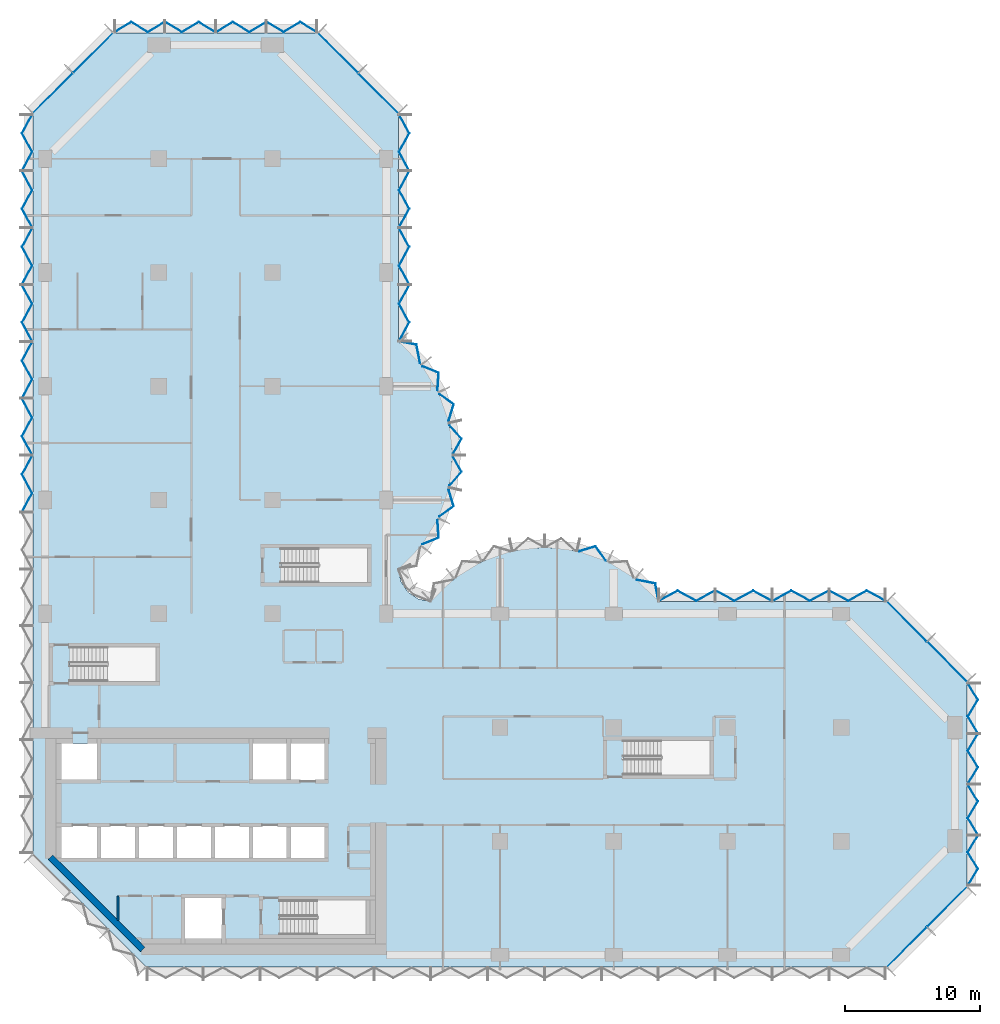
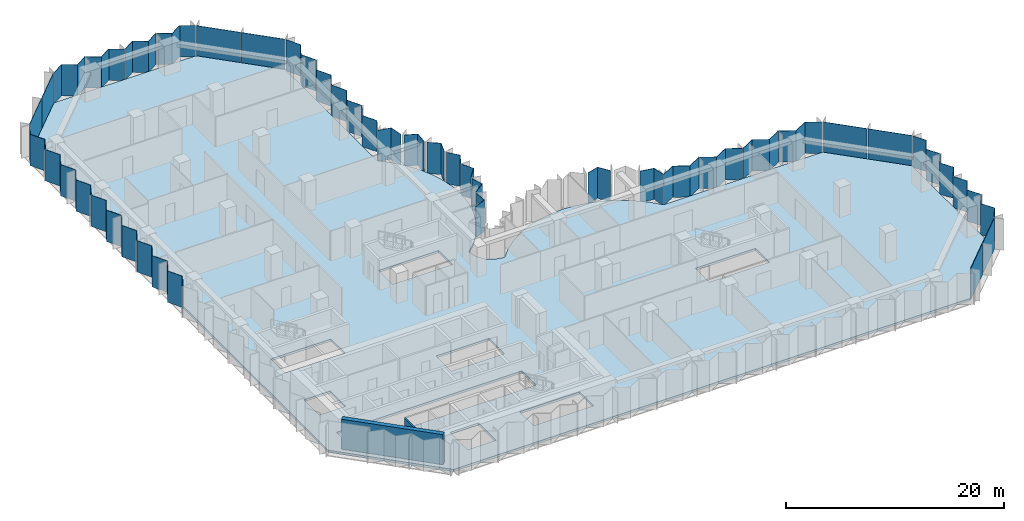
# One storey, part 6 of 13: 40 plates, 2 walls, 1 slab, 11 elements without a shape of their own.
"""IFC4 building model written with IfcOpenShell, lengths in metres."""

from ifc_helpers import new_model, si_unit, direction, frame, frame_2d, origin, place, context, subcontext, project, spatial, polyline, rectangle, outline, extrude, material, layer, layer_set, type_object, element, aggregate, save


model = new_model("IFC4")

# Units and contexts
model_context = context("Model", 3, precision=1e-05, world=origin(), true_north=direction((0.0, 1.0)))
body_context = subcontext(model_context, "Body", "Model", "MODEL_VIEW")
ifc_project = project(units=[si_unit("LENGTHUNIT", "METRE"), si_unit("AREAUNIT", "SQUARE_METRE"), si_unit("VOLUMEUNIT", "CUBIC_METRE"), si_unit("PLANEANGLEUNIT", "RADIAN"), si_unit("MASSUNIT", "GRAM", prefix="KILO")], contexts=[model_context])

# Site, building, storey
site_placement = place(None, origin())
site = spatial("IfcSite", under=ifc_project, at=site_placement, CompositionType="ELEMENT")
building_placement = place(site_placement, origin())
building = spatial("IfcBuilding", under=site, at=building_placement, Name="Brevane Broadcast Tower", CompositionType="ELEMENT")
storey_placement = place(building_placement, frame((0.0, 0.0, 120.5)))
storey = spatial("IfcBuildingStorey", under=building, at=storey_placement, Name="L29", CompositionType="ELEMENT", Elevation=120.5)

# Curtain wall, plates
ifc_material_1 = material(Name="Aluminium 6063-T6 bronze anodised", Category="aluminium")
curtain_wall_type = type_object("IfcCurtainWallType", Name="CW-1 curtain wall", PredefinedType="NOTDEFINED", material=ifc_material_1)
curtain_wall_1_placement = place(storey_placement, origin())
curtain_wall_1 = element("IfcCurtainWall", 1, at=curtain_wall_1_placement, inside=storey, type_object=curtain_wall_type, Name="CW-1 typical tilted unit L29 south-east chamfer", PredefinedType="NOTDEFINED")
ifc_material_2 = material(Name="Laminated glass bronze-tinted", Category="glass")
ifc_layer_1 = layer(ifc_material_2, 0.0400390625)
ifc_layer_set_1 = layer_set([ifc_layer_1], Name="CW tall glass panel 40")
plate_type = type_object("IfcPlateType", Name="CW tall glass panel 40", PredefinedType="CURTAIN_PANEL", material=ifc_layer_set_1)
plate_1_placement = place(storey_placement, frame((0.0, 0.0, -0.14990234375)))
plate_1 = element("IfcPlate", 2, at=plate_1_placement, type_object=plate_type, Name="CW-1 glass panel", PredefinedType="CURTAIN_PANEL", context=body_context, shape_type="SweptSolid", body=[
    extrude(outline(polyline([(62.14599609375, -0.896484375), (65.096435546875, 2.053955078125), (65.124755859375, 2.02587890625), (62.17431640625, -0.9248046875), (62.14599609375, -0.896484375)])), origin(), (0.0, 0.0, 1.0), 3.5),
])
plate_2_placement = place(storey_placement, frame((0.0, 0.0, -0.14990234375)))
plate_2 = element("IfcPlate", 3, at=plate_2_placement, type_object=plate_type, Name="CW-1 glass panel", PredefinedType="CURTAIN_PANEL", context=body_context, shape_type="SweptSolid", body=[
    extrude(outline(polyline([(65.14599609375, 2.103515625), (68.096435546875, 5.053955078125), (68.124755859375, 5.02587890625), (65.17431640625, 2.0751953125), (65.14599609375, 2.103515625)])), origin(), (0.0, 0.0, 1.0), 3.5),
])
aggregate(curtain_wall_1, [plate_1, plate_2])

curtain_wall_2_placement = place(storey_placement, origin())
curtain_wall_2 = element("IfcCurtainWall", 4, at=curtain_wall_2_placement, inside=storey, type_object=curtain_wall_type, Name="CW-1 typical tilted unit L29 east end", PredefinedType="NOTDEFINED")
plate_3_placement = place(storey_placement, frame((0.0, 0.0, -0.14990234375)))
plate_3 = element("IfcPlate", 5, at=plate_3_placement, type_object=plate_type, Name="CW-1 glass panel", PredefinedType="CURTAIN_PANEL", context=body_context, shape_type="SweptSolid", body=[
    extrude(outline(polyline([(68.126708984375, 5.135009765625), (68.17333984375, 5.135009765625), (68.917724609375, 6.36181640625), (68.17333984375, 7.58837890625), (68.917724609375, 8.81494140625), (68.87109375, 8.81494140625), (68.126708984375, 7.58837890625), (68.87109375, 6.36181640625), (68.126708984375, 5.135009765625)])), origin(), (0.0, 0.0, 1.0), 3.5),
])
plate_4_placement = place(storey_placement, frame((0.0, 0.0, -0.14990234375)))
plate_4 = element("IfcPlate", 6, at=plate_4_placement, type_object=plate_type, Name="CW-1 glass panel", PredefinedType="CURTAIN_PANEL", context=body_context, shape_type="SweptSolid", body=[
    extrude(outline(polyline([(68.87109375, 8.885009765625), (68.917724609375, 8.885009765625), (68.17333984375, 10.11181640625), (68.917724609375, 11.33837890625), (68.17333984375, 12.56494140625), (68.126708984375, 12.56494140625), (68.87109375, 11.33837890625), (68.126708984375, 10.11181640625), (68.87109375, 8.885009765625)])), origin(), (0.0, 0.0, 1.0), 3.5),
])
plate_5_placement = place(storey_placement, frame((0.0, 0.0, -0.14990234375)))
plate_5 = element("IfcPlate", 7, at=plate_5_placement, type_object=plate_type, Name="CW-1 glass panel", PredefinedType="CURTAIN_PANEL", context=body_context, shape_type="SweptSolid", body=[
    extrude(outline(polyline([(68.126708984375, 12.635009765625), (68.17333984375, 12.635009765625), (68.917724609375, 13.86181640625), (68.17333984375, 15.08837890625), (68.917724609375, 16.31494140625), (68.87109375, 16.31494140625), (68.126708984375, 15.08837890625), (68.87109375, 13.86181640625), (68.126708984375, 12.635009765625)])), origin(), (0.0, 0.0, 1.0), 3.5),
])
plate_6_placement = place(storey_placement, frame((0.0, 0.0, -0.14990234375)))
plate_6 = element("IfcPlate", 8, at=plate_6_placement, type_object=plate_type, Name="CW-1 glass panel", PredefinedType="CURTAIN_PANEL", context=body_context, shape_type="SweptSolid", body=[
    extrude(outline(polyline([(68.87109375, 16.385009765625), (68.917724609375, 16.385009765625), (68.17333984375, 17.61181640625), (68.917724609375, 18.83837890625), (68.17333984375, 20.06494140625), (68.126708984375, 20.06494140625), (68.87109375, 18.83837890625), (68.126708984375, 17.61181640625), (68.87109375, 16.385009765625)])), origin(), (0.0, 0.0, 1.0), 3.5),
])
aggregate(curtain_wall_2, [plate_3, plate_4, plate_5, plate_6])

curtain_wall_3_placement = place(storey_placement, origin())
curtain_wall_3 = element("IfcCurtainWall", 9, at=curtain_wall_3_placement, inside=storey, type_object=curtain_wall_type, Name="CW-1 typical tilted unit L29 north-east chamfer", PredefinedType="NOTDEFINED")
plate_7_placement = place(storey_placement, frame((0.0, 0.0, -0.14990234375)))
plate_7 = element("IfcPlate", 10, at=plate_7_placement, type_object=plate_type, Name="CW-1 glass panel", PredefinedType="CURTAIN_PANEL", context=body_context, shape_type="SweptSolid", body=[
    extrude(outline(polyline([(68.096435546875, 20.14599609375), (65.14599609375, 23.096435546875), (65.17431640625, 23.124755859375), (68.124755859375, 20.17431640625), (68.096435546875, 20.14599609375)])), origin(), (0.0, 0.0, 1.0), 3.5),
])
plate_8_placement = place(storey_placement, frame((0.0, 0.0, -0.14990234375)))
plate_8 = element("IfcPlate", 11, at=plate_8_placement, type_object=plate_type, Name="CW-1 glass panel", PredefinedType="CURTAIN_PANEL", context=body_context, shape_type="SweptSolid", body=[
    extrude(outline(polyline([(65.096435546875, 23.14599609375), (62.14599609375, 26.096435546875), (62.17431640625, 26.124755859375), (65.124755859375, 23.17431640625), (65.096435546875, 23.14599609375)])), origin(), (0.0, 0.0, 1.0), 3.5),
])
aggregate(curtain_wall_3, [plate_7, plate_8])

curtain_wall_4_placement = place(storey_placement, origin())
curtain_wall_4 = element("IfcCurtainWall", 12, at=curtain_wall_4_placement, inside=storey, type_object=curtain_wall_type, Name="CW-1 typical tilted unit L29 east arm north face", PredefinedType="NOTDEFINED")
plate_9_placement = place(storey_placement, frame((0.0, 0.0, -0.14990234375)))
plate_9 = element("IfcPlate", 13, at=plate_9_placement, type_object=plate_type, Name="CW-1 glass panel", PredefinedType="CURTAIN_PANEL", context=body_context, shape_type="SweptSolid", body=[
    extrude(outline(polyline([(62.06494140625, 26.127197265625), (62.06494140625, 26.172607421875), (60.688232421875, 26.9169921875), (59.311767578125, 26.172607421875), (57.93505859375, 26.9169921875), (57.93505859375, 26.87158203125), (59.311767578125, 26.127197265625), (60.688232421875, 26.87158203125), (62.06494140625, 26.127197265625)])), origin(), (0.0, 0.0, 1.0), 3.5),
])
plate_10_placement = place(storey_placement, frame((0.0, 0.0, -0.14990234375)))
plate_10 = element("IfcPlate", 14, at=plate_10_placement, type_object=plate_type, Name="CW-1 glass panel", PredefinedType="CURTAIN_PANEL", context=body_context, shape_type="SweptSolid", body=[
    extrude(outline(polyline([(57.864990234375, 26.87158203125), (57.864990234375, 26.9169921875), (56.48828125, 26.172607421875), (55.11181640625, 26.9169921875), (53.735107421875, 26.172607421875), (53.735107421875, 26.127197265625), (55.11181640625, 26.87158203125), (56.48828125, 26.127197265625), (57.864990234375, 26.87158203125)])), origin(), (0.0, 0.0, 1.0), 3.5),
])
plate_11_placement = place(storey_placement, frame((0.0, 0.0, -0.14990234375)))
plate_11 = element("IfcPlate", 15, at=plate_11_placement, type_object=plate_type, Name="CW-1 glass panel", PredefinedType="CURTAIN_PANEL", context=body_context, shape_type="SweptSolid", body=[
    extrude(outline(polyline([(53.6650390625, 26.127197265625), (53.6650390625, 26.172607421875), (52.288330078125, 26.9169921875), (50.91162109375, 26.172607421875), (49.534912109375, 26.9169921875), (49.534912109375, 26.87158203125), (50.91162109375, 26.127197265625), (52.288330078125, 26.87158203125), (53.6650390625, 26.127197265625)])), origin(), (0.0, 0.0, 1.0), 3.5),
])
plate_12_placement = place(storey_placement, frame((0.0, 0.0, -0.14990234375)))
plate_12 = element("IfcPlate", 16, at=plate_12_placement, type_object=plate_type, Name="CW-1 glass panel", PredefinedType="CURTAIN_PANEL", context=body_context, shape_type="SweptSolid", body=[
    extrude(outline(polyline([(49.465087890625, 26.87158203125), (49.465087890625, 26.9169921875), (48.08837890625, 26.172607421875), (46.711669921875, 26.9169921875), (45.3349609375, 26.172607421875), (45.3349609375, 26.127197265625), (46.711669921875, 26.87158203125), (48.08837890625, 26.127197265625), (49.465087890625, 26.87158203125)])), origin(), (0.0, 0.0, 1.0), 3.5),
])
aggregate(curtain_wall_4, [plate_9, plate_10, plate_11, plate_12])

curtain_wall_5_placement = place(storey_placement, origin())
curtain_wall_5 = element("IfcCurtainWall", 17, at=curtain_wall_5_placement, inside=storey, type_object=curtain_wall_type, Name="CW-1 typical tilted unit L29 east bow", PredefinedType="NOTDEFINED")
plate_13_placement = place(storey_placement, frame((0.0, 0.0, -0.14990234375)))
plate_13 = element("IfcPlate", 18, at=plate_13_placement, type_object=plate_type, Name="CW-1 glass panel", PredefinedType="CURTAIN_PANEL", context=body_context, shape_type="SweptSolid", body=[
    extrude(outline(polyline([(45.2939453125, 26.14404296875), (45.327880859375, 26.17919921875), (45.086181640625, 27.447265625), (43.738525390625, 27.71142578125), (43.7109375, 27.67626953125), (45.052001953125, 27.4130859375), (45.2939453125, 26.14404296875)])), origin(), (0.0, 0.0, 1.0), 3.5),
])
plate_14_placement = place(storey_placement, frame((0.0, 0.0, -0.14990234375)))
plate_14 = element("IfcPlate", 19, at=plate_14_placement, type_object=plate_type, Name="CW-1 glass panel", PredefinedType="CURTAIN_PANEL", context=body_context, shape_type="SweptSolid", body=[
    extrude(outline(polyline([(41.3994140625, 29.104248046875), (41.4189453125, 29.1455078125), (40.667724609375, 30.20166015625), (39.45068359375, 29.83349609375), (39.440185546875, 29.78857421875), (40.65185546875, 30.155029296875), (41.3994140625, 29.104248046875)])), origin(), (0.0, 0.0, 1.0), 3.5),
])
aggregate(curtain_wall_5, [plate_13, plate_14])

curtain_wall_6_placement = place(storey_placement, origin())
curtain_wall_6 = element("IfcCurtainWall", 20, at=curtain_wall_6_placement, inside=storey, type_object=curtain_wall_type, Name="CW-1 typical tilted unit L29 north bow", PredefinedType="NOTDEFINED")
plate_15_placement = place(storey_placement, frame((0.0, 0.0, -0.14990234375)))
plate_15 = element("IfcPlate", 21, at=plate_15_placement, type_object=plate_type, Name="CW-1 glass panel", PredefinedType="CURTAIN_PANEL", context=body_context, shape_type="SweptSolid", body=[
    extrude(outline(polyline([(27.8759765625, 30.343017578125), (27.912109375, 30.314697265625), (29.089111328125, 30.7958984375), (29.006591796875, 32.08935546875), (28.96533203125, 32.10888671875), (29.04736328125, 30.822265625), (27.8759765625, 30.343017578125)])), origin(), (0.0, 0.0, 1.0), 3.5),
])
plate_16_placement = place(storey_placement, frame((0.0, 0.0, -0.14990234375)))
plate_16 = element("IfcPlate", 22, at=plate_16_placement, type_object=plate_type, Name="CW-1 glass panel", PredefinedType="CURTAIN_PANEL", context=body_context, shape_type="SweptSolid", body=[
    extrude(outline(polyline([(29.104248046875, 32.400634765625), (29.1455078125, 32.381103515625), (30.20166015625, 33.132080078125), (29.83349609375, 34.349365234375), (29.78857421875, 34.359619140625), (30.155029296875, 33.148193359375), (29.104248046875, 32.400634765625)])), origin(), (0.0, 0.0, 1.0), 3.5),
])
plate_17_placement = place(storey_placement, frame((0.0, 0.0, -0.14990234375)))
plate_17 = element("IfcPlate", 23, at=plate_17_placement, type_object=plate_type, Name="CW-1 glass panel", PredefinedType="CURTAIN_PANEL", context=body_context, shape_type="SweptSolid", body=[
    extrude(outline(polyline([(29.859619140625, 34.6748046875), (29.903564453125, 34.664794921875), (30.779296875, 35.68310546875), (30.15869140625, 36.7919921875), (30.11279296875, 36.7919921875), (30.730712890625, 35.68798828125), (29.859619140625, 34.6748046875)])), origin(), (0.0, 0.0, 1.0), 3.5),
])
plate_18_placement = place(storey_placement, frame((0.0, 0.0, -0.14990234375)))
plate_18 = element("IfcPlate", 24, at=plate_18_placement, type_object=plate_type, Name="CW-1 glass panel", PredefinedType="CURTAIN_PANEL", context=body_context, shape_type="SweptSolid", body=[
    extrude(outline(polyline([(30.11279296875, 37.008056640625), (30.15869140625, 37.008056640625), (30.779296875, 38.116943359375), (29.903564453125, 39.13525390625), (29.859619140625, 39.125), (30.730712890625, 38.112060546875), (30.11279296875, 37.008056640625)])), origin(), (0.0, 0.0, 1.0), 3.5),
])
plate_19_placement = place(storey_placement, frame((0.0, 0.0, -0.14990234375)))
plate_19 = element("IfcPlate", 25, at=plate_19_placement, type_object=plate_type, Name="CW-1 glass panel", PredefinedType="CURTAIN_PANEL", context=body_context, shape_type="SweptSolid", body=[
    extrude(outline(polyline([(29.78857421875, 39.440185546875), (29.83349609375, 39.45068359375), (30.20166015625, 40.667724609375), (29.1455078125, 41.4189453125), (29.104248046875, 41.3994140625), (30.155029296875, 40.65185546875), (29.78857421875, 39.440185546875)])), origin(), (0.0, 0.0, 1.0), 3.5),
])
plate_20_placement = place(storey_placement, frame((0.0, 0.0, -0.14990234375)))
plate_20 = element("IfcPlate", 26, at=plate_20_placement, type_object=plate_type, Name="CW-1 glass panel", PredefinedType="CURTAIN_PANEL", context=body_context, shape_type="SweptSolid", body=[
    extrude(outline(polyline([(28.96533203125, 41.69091796875), (29.006591796875, 41.710693359375), (29.089111328125, 43.00390625), (27.912109375, 43.4853515625), (27.8759765625, 43.45703125), (29.04736328125, 42.977783203125), (28.96533203125, 41.69091796875)])), origin(), (0.0, 0.0, 1.0), 3.5),
])
plate_21_placement = place(storey_placement, frame((0.0, 0.0, -0.14990234375)))
plate_21 = element("IfcPlate", 27, at=plate_21_placement, type_object=plate_type, Name="CW-1 glass panel", PredefinedType="CURTAIN_PANEL", context=body_context, shape_type="SweptSolid", body=[
    extrude(outline(polyline([(27.67626953125, 43.7109375), (27.71142578125, 43.738525390625), (27.447265625, 45.086181640625), (26.17919921875, 45.327880859375), (26.14404296875, 45.2939453125), (27.4130859375, 45.052001953125), (27.67626953125, 43.7109375)])), origin(), (0.0, 0.0, 1.0), 3.5),
])
aggregate(curtain_wall_6, [plate_15, plate_16, plate_17, plate_18, plate_19, plate_20, plate_21])

curtain_wall_7_placement = place(storey_placement, origin())
curtain_wall_7 = element("IfcCurtainWall", 28, at=curtain_wall_7_placement, inside=storey, type_object=curtain_wall_type, Name="CW-1 typical tilted unit L29 north arm east face", PredefinedType="NOTDEFINED")
plate_22_placement = place(storey_placement, frame((0.0, 0.0, -0.14990234375)))
plate_22 = element("IfcPlate", 29, at=plate_22_placement, type_object=plate_type, Name="CW-1 glass panel", PredefinedType="CURTAIN_PANEL", context=body_context, shape_type="SweptSolid", body=[
    extrude(outline(polyline([(26.127197265625, 45.3349609375), (26.172607421875, 45.3349609375), (26.9169921875, 46.711669921875), (26.172607421875, 48.08837890625), (26.9169921875, 49.465087890625), (26.87158203125, 49.465087890625), (26.127197265625, 48.08837890625), (26.87158203125, 46.711669921875), (26.127197265625, 45.3349609375)])), origin(), (0.0, 0.0, 1.0), 3.5),
])
plate_23_placement = place(storey_placement, frame((0.0, 0.0, -0.14990234375)))
plate_23 = element("IfcPlate", 30, at=plate_23_placement, type_object=plate_type, Name="CW-1 glass panel", PredefinedType="CURTAIN_PANEL", context=body_context, shape_type="SweptSolid", body=[
    extrude(outline(polyline([(26.87158203125, 49.534912109375), (26.9169921875, 49.534912109375), (26.172607421875, 50.91162109375), (26.9169921875, 52.288330078125), (26.172607421875, 53.6650390625), (26.127197265625, 53.6650390625), (26.87158203125, 52.288330078125), (26.127197265625, 50.91162109375), (26.87158203125, 49.534912109375)])), origin(), (0.0, 0.0, 1.0), 3.5),
])
plate_24_placement = place(storey_placement, frame((0.0, 0.0, -0.14990234375)))
plate_24 = element("IfcPlate", 31, at=plate_24_placement, type_object=plate_type, Name="CW-1 glass panel", PredefinedType="CURTAIN_PANEL", context=body_context, shape_type="SweptSolid", body=[
    extrude(outline(polyline([(26.127197265625, 53.735107421875), (26.172607421875, 53.735107421875), (26.9169921875, 55.11181640625), (26.172607421875, 56.48828125), (26.9169921875, 57.864990234375), (26.87158203125, 57.864990234375), (26.127197265625, 56.48828125), (26.87158203125, 55.11181640625), (26.127197265625, 53.735107421875)])), origin(), (0.0, 0.0, 1.0), 3.5),
])
plate_25_placement = place(storey_placement, frame((0.0, 0.0, -0.14990234375)))
plate_25 = element("IfcPlate", 32, at=plate_25_placement, type_object=plate_type, Name="CW-1 glass panel", PredefinedType="CURTAIN_PANEL", context=body_context, shape_type="SweptSolid", body=[
    extrude(outline(polyline([(26.87158203125, 57.93505859375), (26.9169921875, 57.93505859375), (26.172607421875, 59.311767578125), (26.9169921875, 60.688232421875), (26.172607421875, 62.06494140625), (26.127197265625, 62.06494140625), (26.87158203125, 60.688232421875), (26.127197265625, 59.311767578125), (26.87158203125, 57.93505859375)])), origin(), (0.0, 0.0, 1.0), 3.5),
])
aggregate(curtain_wall_7, [plate_22, plate_23, plate_24, plate_25])

curtain_wall_8_placement = place(storey_placement, origin())
curtain_wall_8 = element("IfcCurtainWall", 33, at=curtain_wall_8_placement, inside=storey, type_object=curtain_wall_type, Name="CW-1 typical tilted unit L29 north arm north-east chamfer", PredefinedType="NOTDEFINED")
plate_26_placement = place(storey_placement, frame((0.0, 0.0, -0.14990234375)))
plate_26 = element("IfcPlate", 34, at=plate_26_placement, type_object=plate_type, Name="CW-1 glass panel", PredefinedType="CURTAIN_PANEL", context=body_context, shape_type="SweptSolid", body=[
    extrude(outline(polyline([(26.096435546875, 62.14599609375), (23.14599609375, 65.096435546875), (23.17431640625, 65.124755859375), (26.124755859375, 62.17431640625), (26.096435546875, 62.14599609375)])), origin(), (0.0, 0.0, 1.0), 3.5),
])
plate_27_placement = place(storey_placement, frame((0.0, 0.0, -0.14990234375)))
plate_27 = element("IfcPlate", 35, at=plate_27_placement, type_object=plate_type, Name="CW-1 glass panel", PredefinedType="CURTAIN_PANEL", context=body_context, shape_type="SweptSolid", body=[
    extrude(outline(polyline([(23.096435546875, 65.14599609375), (20.14599609375, 68.096435546875), (20.17431640625, 68.124755859375), (23.124755859375, 65.17431640625), (23.096435546875, 65.14599609375)])), origin(), (0.0, 0.0, 1.0), 3.5),
])
aggregate(curtain_wall_8, [plate_26, plate_27])

curtain_wall_9_placement = place(storey_placement, origin())
curtain_wall_9 = element("IfcCurtainWall", 36, at=curtain_wall_9_placement, inside=storey, type_object=curtain_wall_type, Name="CW-1 typical tilted unit L29 north end", PredefinedType="NOTDEFINED")
plate_28_placement = place(storey_placement, frame((0.0, 0.0, -0.14990234375)))
plate_28 = element("IfcPlate", 37, at=plate_28_placement, type_object=plate_type, Name="CW-1 glass panel", PredefinedType="CURTAIN_PANEL", context=body_context, shape_type="SweptSolid", body=[
    extrude(outline(polyline([(20.06494140625, 68.126708984375), (20.06494140625, 68.17333984375), (18.83837890625, 68.917724609375), (17.61181640625, 68.17333984375), (16.385009765625, 68.917724609375), (16.385009765625, 68.87109375), (17.61181640625, 68.126708984375), (18.83837890625, 68.87109375), (20.06494140625, 68.126708984375)])), origin(), (0.0, 0.0, 1.0), 3.5),
])
plate_29_placement = place(storey_placement, frame((0.0, 0.0, -0.14990234375)))
plate_29 = element("IfcPlate", 38, at=plate_29_placement, type_object=plate_type, Name="CW-1 glass panel", PredefinedType="CURTAIN_PANEL", context=body_context, shape_type="SweptSolid", body=[
    extrude(outline(polyline([(16.31494140625, 68.87109375), (16.31494140625, 68.917724609375), (15.08837890625, 68.17333984375), (13.86181640625, 68.917724609375), (12.635009765625, 68.17333984375), (12.635009765625, 68.126708984375), (13.86181640625, 68.87109375), (15.08837890625, 68.126708984375), (16.31494140625, 68.87109375)])), origin(), (0.0, 0.0, 1.0), 3.5),
])
plate_30_placement = place(storey_placement, frame((0.0, 0.0, -0.14990234375)))
plate_30 = element("IfcPlate", 39, at=plate_30_placement, type_object=plate_type, Name="CW-1 glass panel", PredefinedType="CURTAIN_PANEL", context=body_context, shape_type="SweptSolid", body=[
    extrude(outline(polyline([(12.56494140625, 68.126708984375), (12.56494140625, 68.17333984375), (11.33837890625, 68.917724609375), (10.11181640625, 68.17333984375), (8.885009765625, 68.917724609375), (8.885009765625, 68.87109375), (10.11181640625, 68.126708984375), (11.33837890625, 68.87109375), (12.56494140625, 68.126708984375)])), origin(), (0.0, 0.0, 1.0), 3.5),
])
plate_31_placement = place(storey_placement, frame((0.0, 0.0, -0.14990234375)))
plate_31 = element("IfcPlate", 40, at=plate_31_placement, type_object=plate_type, Name="CW-1 glass panel", PredefinedType="CURTAIN_PANEL", context=body_context, shape_type="SweptSolid", body=[
    extrude(outline(polyline([(8.81494140625, 68.87109375), (8.81494140625, 68.917724609375), (7.58837890625, 68.17333984375), (6.36181640625, 68.917724609375), (5.135009765625, 68.17333984375), (5.135009765625, 68.126708984375), (6.36181640625, 68.87109375), (7.58837890625, 68.126708984375), (8.81494140625, 68.87109375)])), origin(), (0.0, 0.0, 1.0), 3.5),
])
aggregate(curtain_wall_9, [plate_28, plate_29, plate_30, plate_31])

curtain_wall_10_placement = place(storey_placement, origin())
curtain_wall_10 = element("IfcCurtainWall", 41, at=curtain_wall_10_placement, inside=storey, type_object=curtain_wall_type, Name="CW-1 typical tilted unit L29 north-west chamfer", PredefinedType="NOTDEFINED")
plate_32_placement = place(storey_placement, frame((0.0, 0.0, -0.14990234375)))
plate_32 = element("IfcPlate", 42, at=plate_32_placement, type_object=plate_type, Name="CW-1 glass panel", PredefinedType="CURTAIN_PANEL", context=body_context, shape_type="SweptSolid", body=[
    extrude(outline(polyline([(5.053955078125, 68.096435546875), (2.103515625, 65.14599609375), (2.0751953125, 65.17431640625), (5.02587890625, 68.124755859375), (5.053955078125, 68.096435546875)])), origin(), (0.0, 0.0, 1.0), 3.5),
])
plate_33_placement = place(storey_placement, frame((0.0, 0.0, -0.14990234375)))
plate_33 = element("IfcPlate", 43, at=plate_33_placement, type_object=plate_type, Name="CW-1 glass panel", PredefinedType="CURTAIN_PANEL", context=body_context, shape_type="SweptSolid", body=[
    extrude(outline(polyline([(2.053955078125, 65.096435546875), (-0.896484375, 62.14599609375), (-0.9248046875, 62.17431640625), (2.02587890625, 65.124755859375), (2.053955078125, 65.096435546875)])), origin(), (0.0, 0.0, 1.0), 3.5),
])
aggregate(curtain_wall_10, [plate_32, plate_33])

curtain_wall_11_placement = place(storey_placement, origin())
curtain_wall_11 = element("IfcCurtainWall", 44, at=curtain_wall_11_placement, inside=storey, type_object=curtain_wall_type, Name="CW-1 typical tilted unit L29 west face", PredefinedType="NOTDEFINED")
plate_34_placement = place(storey_placement, frame((0.0, 0.0, -0.14990234375)))
plate_34 = element("IfcPlate", 45, at=plate_34_placement, type_object=plate_type, Name="CW-1 glass panel", PredefinedType="CURTAIN_PANEL", context=body_context, shape_type="SweptSolid", body=[
    extrude(outline(polyline([(-0.92724609375, 62.06494140625), (-0.97265625, 62.06494140625), (-1.717041015625, 60.688232421875), (-0.97265625, 59.311767578125), (-1.717041015625, 57.93505859375), (-1.671630859375, 57.93505859375), (-0.92724609375, 59.311767578125), (-1.671630859375, 60.688232421875), (-0.92724609375, 62.06494140625)])), origin(), (0.0, 0.0, 1.0), 3.5),
])
plate_35_placement = place(storey_placement, frame((0.0, 0.0, -0.14990234375)))
plate_35 = element("IfcPlate", 46, at=plate_35_placement, type_object=plate_type, Name="CW-1 glass panel", PredefinedType="CURTAIN_PANEL", context=body_context, shape_type="SweptSolid", body=[
    extrude(outline(polyline([(-1.671630859375, 57.864990234375), (-1.717041015625, 57.864990234375), (-0.97265625, 56.48828125), (-1.717041015625, 55.11181640625), (-0.97265625, 53.735107421875), (-0.92724609375, 53.735107421875), (-1.671630859375, 55.11181640625), (-0.92724609375, 56.48828125), (-1.671630859375, 57.864990234375)])), origin(), (0.0, 0.0, 1.0), 3.5),
])
plate_36_placement = place(storey_placement, frame((0.0, 0.0, -0.14990234375)))
plate_36 = element("IfcPlate", 47, at=plate_36_placement, type_object=plate_type, Name="CW-1 glass panel", PredefinedType="CURTAIN_PANEL", context=body_context, shape_type="SweptSolid", body=[
    extrude(outline(polyline([(-0.92724609375, 53.6650390625), (-0.97265625, 53.6650390625), (-1.717041015625, 52.288330078125), (-0.97265625, 50.91162109375), (-1.717041015625, 49.534912109375), (-1.671630859375, 49.534912109375), (-0.92724609375, 50.91162109375), (-1.671630859375, 52.288330078125), (-0.92724609375, 53.6650390625)])), origin(), (0.0, 0.0, 1.0), 3.5),
])
plate_37_placement = place(storey_placement, frame((0.0, 0.0, -0.14990234375)))
plate_37 = element("IfcPlate", 48, at=plate_37_placement, type_object=plate_type, Name="CW-1 glass panel", PredefinedType="CURTAIN_PANEL", context=body_context, shape_type="SweptSolid", body=[
    extrude(outline(polyline([(-1.671630859375, 49.465087890625), (-1.717041015625, 49.465087890625), (-0.97265625, 48.08837890625), (-1.717041015625, 46.711669921875), (-0.97265625, 45.3349609375), (-0.92724609375, 45.3349609375), (-1.671630859375, 46.711669921875), (-0.92724609375, 48.08837890625), (-1.671630859375, 49.465087890625)])), origin(), (0.0, 0.0, 1.0), 3.5),
])
plate_38_placement = place(storey_placement, frame((0.0, 0.0, -0.14990234375)))
plate_38 = element("IfcPlate", 49, at=plate_38_placement, type_object=plate_type, Name="CW-1 glass panel", PredefinedType="CURTAIN_PANEL", context=body_context, shape_type="SweptSolid", body=[
    extrude(outline(polyline([(-0.92724609375, 45.264892578125), (-0.97265625, 45.264892578125), (-1.717041015625, 43.88818359375), (-0.97265625, 42.51171875), (-1.717041015625, 41.135009765625), (-1.671630859375, 41.135009765625), (-0.92724609375, 42.51171875), (-1.671630859375, 43.88818359375), (-0.92724609375, 45.264892578125)])), origin(), (0.0, 0.0, 1.0), 3.5),
])
plate_39_placement = place(storey_placement, frame((0.0, 0.0, -0.14990234375)))
plate_39 = element("IfcPlate", 50, at=plate_39_placement, type_object=plate_type, Name="CW-1 glass panel", PredefinedType="CURTAIN_PANEL", context=body_context, shape_type="SweptSolid", body=[
    extrude(outline(polyline([(-1.671630859375, 41.06494140625), (-1.717041015625, 41.06494140625), (-0.97265625, 39.688232421875), (-1.717041015625, 38.311767578125), (-0.97265625, 36.93505859375), (-0.92724609375, 36.93505859375), (-1.671630859375, 38.311767578125), (-0.92724609375, 39.688232421875), (-1.671630859375, 41.06494140625)])), origin(), (0.0, 0.0, 1.0), 3.5),
])
plate_40_placement = place(storey_placement, frame((0.0, 0.0, -0.14990234375)))
plate_40 = element("IfcPlate", 51, at=plate_40_placement, type_object=plate_type, Name="CW-1 glass panel", PredefinedType="CURTAIN_PANEL", context=body_context, shape_type="SweptSolid", body=[
    extrude(outline(polyline([(-0.92724609375, 36.864990234375), (-0.97265625, 36.864990234375), (-1.717041015625, 35.48828125), (-0.97265625, 34.11181640625), (-1.717041015625, 32.735107421875), (-1.671630859375, 32.735107421875), (-0.92724609375, 34.11181640625), (-1.671630859375, 35.48828125), (-0.92724609375, 36.864990234375)])), origin(), (0.0, 0.0, 1.0), 3.5),
])
aggregate(curtain_wall_11, [plate_34, plate_35, plate_36, plate_37, plate_38, plate_39, plate_40])

# Slab
ifc_material_3 = material(Name="Concrete C40/50", Category="concrete")
ifc_layer_2 = layer(ifc_material_3, 0.25)
ifc_layer_set_2 = layer_set([ifc_layer_2], Name="RC FLOOR SLAB 250 C40/50")
slab_type = type_object("IfcSlabType", Name="RC FLOOR SLAB 250 C40/50", PredefinedType="FLOOR", material=ifc_layer_set_2)
slab_placement = place(storey_placement, frame((0.0, 0.0, -0.25)))
element("IfcSlab", 52, at=slab_placement, inside=storey, type_object=slab_type, Name="SL250 L29", PredefinedType="FLOOR", context=body_context, shape_type="SweptSolid", body=[
    extrude(outline(polyline([(-0.89990234375, 7.5), (-0.89990234375, 62.10009765625), (5.10009765625, 68.10009765625), (20.10009765625, 68.10009765625), (26.10009765625, 62.10009765625), (26.10009765625, 45.300048828125), (27.10888671875, 44.36865234375), (27.99169921875, 43.317138671875), (28.734130859375, 42.162353515625), (29.324462890625, 40.922607421875), (29.7529296875, 39.618408203125), (30.012939453125, 38.270263671875), (30.10009765625, 36.89990234375), (30.012939453125, 35.52978515625), (29.7529296875, 34.181640625), (29.324462890625, 32.877197265625), (28.734130859375, 31.6376953125), (27.99169921875, 30.48291015625), (27.10888671875, 29.431396484375), (26.10009765625, 28.5), (26.28271484375, 27.58154296875), (26.802978515625, 26.802978515625), (27.58154296875, 26.28271484375), (28.5, 26.10009765625), (29.431396484375, 27.10888671875), (30.48291015625, 27.99169921875), (31.6376953125, 28.734130859375), (32.877197265625, 29.324462890625), (34.181640625, 29.7529296875), (35.52978515625, 30.012939453125), (36.89990234375, 30.10009765625), (38.270263671875, 30.012939453125), (39.618408203125, 29.7529296875), (40.922607421875, 29.324462890625), (42.162353515625, 28.734130859375), (43.317138671875, 27.99169921875), (44.36865234375, 27.10888671875), (45.300048828125, 26.10009765625), (62.10009765625, 26.10009765625), (68.10009765625, 20.10009765625), (68.10009765625, 5.10009765625), (62.10009765625, -0.89990234375), (7.5, -0.89990234375), (-0.89990234375, 7.5)]), holes=[polyline([(13.199951171875, 4.39990234375), (10.199951171875, 4.39990234375), (10.199951171875, 1.199951171875), (13.199951171875, 1.199951171875), (13.199951171875, 4.39990234375)]), polyline([(4.0, 9.60009765625), (1.199951171875, 9.60009765625), (1.199951171875, 7.0), (4.0, 7.0), (6.800048828125, 7.0), (9.60009765625, 7.0), (12.39990234375, 7.0), (15.199951171875, 7.0), (18.0, 7.0), (20.800048828125, 7.0), (20.800048828125, 9.60009765625), (18.0, 9.60009765625), (15.199951171875, 9.60009765625), (12.39990234375, 9.60009765625), (9.60009765625, 9.60009765625), (6.800048828125, 9.60009765625), (4.0, 9.60009765625)]), polyline([(4.0, 12.800048828125), (4.0, 15.60009765625), (1.199951171875, 15.60009765625), (1.199951171875, 12.800048828125), (4.0, 12.800048828125)]), polyline([(8.199951171875, 22.75), (1.860107421875, 22.75), (1.860107421875, 20.199951171875), (8.199951171875, 20.199951171875), (8.199951171875, 22.75)]), polyline([(23.699951171875, 4.050048828125), (17.360107421875, 4.050048828125), (17.360107421875, 1.5), (23.699951171875, 1.5), (23.699951171875, 4.050048828125)]), polyline([(18.0, 15.60009765625), (15.199951171875, 15.60009765625), (15.199951171875, 12.800048828125), (18.0, 12.800048828125), (20.800048828125, 12.800048828125), (20.800048828125, 15.60009765625), (18.0, 15.60009765625)]), polyline([(49.10009765625, 15.85009765625), (42.760009765625, 15.85009765625), (42.760009765625, 13.300048828125), (49.10009765625, 13.300048828125), (49.10009765625, 15.85009765625)]), polyline([(23.800048828125, 30.050048828125), (17.4599609375, 30.050048828125), (17.4599609375, 27.5), (23.800048828125, 27.5), (23.800048828125, 30.050048828125)])]), origin(), (0.0, 0.0, 1.0), 0.25),
])

# Walls
ifc_material_4 = material(Name="Gypsum board on steel studs", Category="steel")
ifc_layer_3 = layer(ifc_material_4, 0.14990234375)
ifc_layer_set_3 = layer_set([ifc_layer_3], Name="Core fire partition 150 mm")
wall_type_1 = type_object("IfcWallType", Name="Core fire partition 150 mm", PredefinedType="PARTITIONING", material=ifc_layer_set_3)
wall_1_placement = place(storey_placement, frame((5.39990234375, 2.553466796875, 0.0), z_axis=(0.0, 0.0, 1.0), x_axis=(0.0, 1.0, 0.0)))
element("IfcWall", 53, at=wall_1_placement, inside=storey, type_object=wall_type_1, Name="L29 partition wall P10", PredefinedType="PARTITIONING", context=body_context, shape_type="SweptSolid", body=[
    extrude(rectangle(XDim=1.796630859375, YDim=0.14990234375, at=frame_2d((0.8984375, 0.0))), origin(), (0.0, 0.0, 1.0), 3.35009765625),
])
ifc_material_5 = material(Name="Concrete C60/75", Category="concrete")
ifc_layer_4 = layer(ifc_material_5, 0.449951171875)
ifc_layer_set_4 = layer_set([ifc_layer_4], Name="Core wall 450 mm C60/75")
wall_type_2 = type_object("IfcWallType", Name="Core wall 450 mm C60/75", PredefinedType="SHEAR", material=ifc_layer_set_4)
wall_2_placement = place(storey_placement, frame((0.39990234375, 7.21826171875, 0.0), z_axis=(0.0, 0.0, 1.0), x_axis=(0.707106781187, -0.707106781187, 0.0)))
element("IfcWall", 54, at=wall_2_placement, inside=storey, type_object=wall_type_2, Name="L29 outer wall WC", PredefinedType="SHEAR", context=body_context, shape_type="SweptSolid", body=[
    extrude(rectangle(XDim=9.642578125, YDim=0.449951171875, at=frame_2d((4.8212890625, 0.0))), origin(), (0.0, 0.0, 1.0), 3.35009765625),
])

save(model, "model.ifc")
